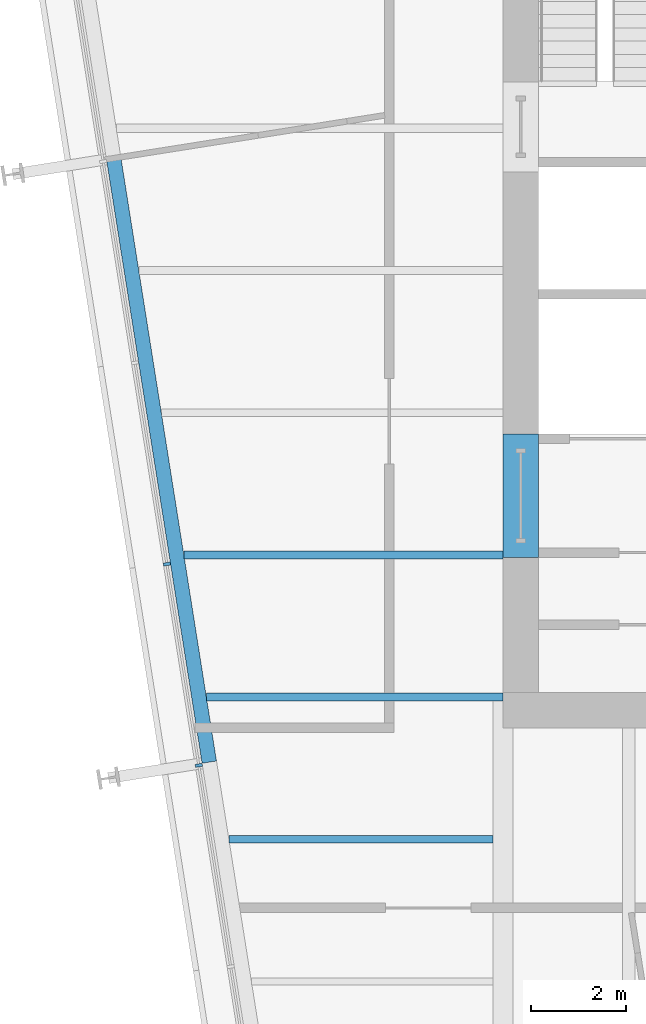
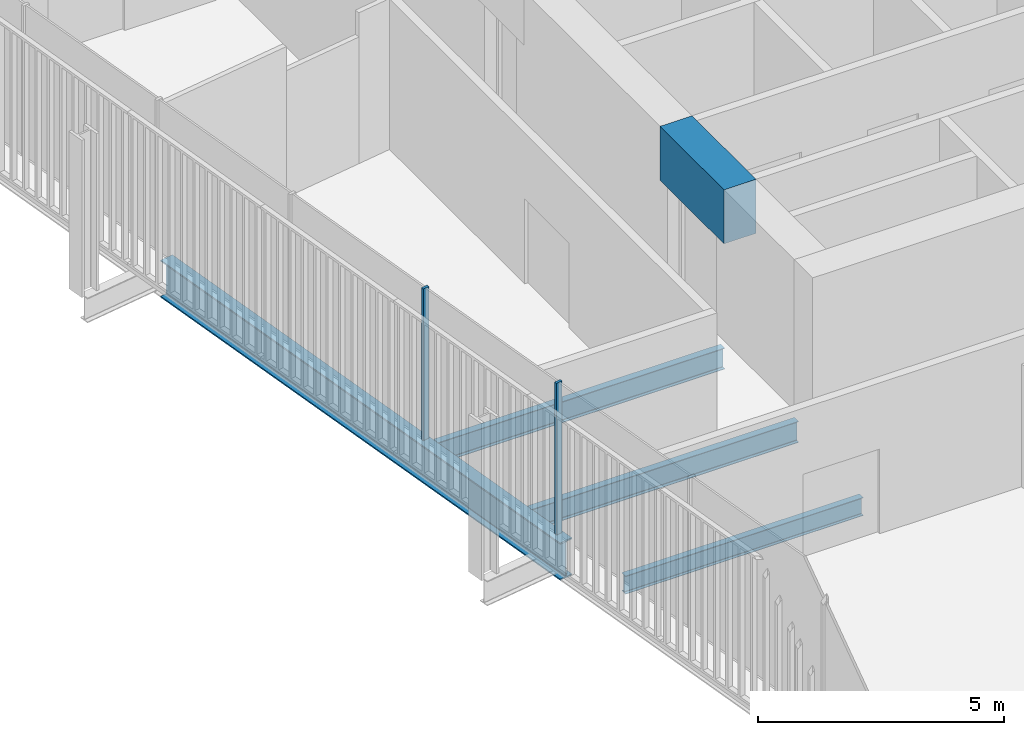
# One storey, part 4 of 21: 5 beams, 2 members, 1 element without a shape of its own.
"""IFC4 building model written with IfcOpenShell, lengths in metres."""

from ifc_helpers import new_model, si_unit, direction, frame, origin, origin_2d, place, context, subcontext, project, spatial, rectangle, i_section, extrude, material, layer, layer_set, material_profile, profile_set, type_object, element, aggregate, save


model = new_model("IFC4")

# Units and contexts
model_context = context("Model", 3, precision=1e-05, world=origin(), true_north=direction((0.0, 1.0)))
body_context = subcontext(model_context, "Body", "Model", "MODEL_VIEW")
ifc_project = project(units=[si_unit("LENGTHUNIT", "METRE"), si_unit("AREAUNIT", "SQUARE_METRE"), si_unit("VOLUMEUNIT", "CUBIC_METRE"), si_unit("PLANEANGLEUNIT", "RADIAN"), si_unit("MASSUNIT", "GRAM", prefix="KILO")], contexts=[model_context])

# Site, building, storey
site_placement = place(None, origin())
site = spatial("IfcSite", under=ifc_project, at=site_placement, CompositionType="ELEMENT")
building_placement = place(site_placement, origin())
building = spatial("IfcBuilding", under=site, at=building_placement, Name="Millrace Tower", CompositionType="ELEMENT")
storey_placement = place(building_placement, frame((0.0, 0.0, 149.0)))
storey = spatial("IfcBuildingStorey", under=building, at=storey_placement, Name="L33", CompositionType="ELEMENT", Elevation=149.0)

# Curtain wall, members
ifc_material_1 = material(Name="Aluminium and glass", Category="aluminium")
ifc_layer = layer(ifc_material_1, 0.14990234375)
ifc_layer_set = layer_set([ifc_layer], Name="Aluminium and glass")
curtain_wall_type = type_object("IfcCurtainWallType", Name="CW-1 office vision curtain wall", PredefinedType="NOTDEFINED", material=ifc_layer_set)
curtain_wall_placement = place(storey_placement, origin())
curtain_wall = element("IfcCurtainWall", 1, at=curtain_wall_placement, inside=storey, type_object=curtain_wall_type, Name="Curtain wall C-F08 L33", PredefinedType="NOTDEFINED")
ifc_material_2 = material(Name="Aluminium", Category="aluminium")
ifc_material_profile_1 = material_profile(ifc_material_2, rectangle(XDim=0.06494140625, YDim=0.14990234375, at=origin_2d()))
ifc_profile_set_1 = profile_set([ifc_material_profile_1], Name="Aluminium")
member_type = type_object("IfcMemberType", Name="CW-1 office vision curtain wall mullion", PredefinedType="MULLION", material=ifc_profile_set_1)
member_1_placement = place(storey_placement, frame((-21.743408203125, -6.193603515625, 0.139892578125), z_axis=(0.0, 0.0, 1.0), x_axis=(0.15643447328, -0.98768833929, 0.0)))
member_1 = element("IfcMember", 2, at=member_1_placement, type_object=member_type, Name="CW1 mullion C-F08.6", PredefinedType="MULLION", context=body_context, shape_type="SweptSolid", body=[
    extrude(rectangle(XDim=0.06494140625, YDim=0.14990234375, at=origin_2d()), origin(), (0.0, 0.0, 1.0), 3.760009765625),
])
member_2_placement = place(storey_placement, frame((-21.070556640625, -10.440673828125, 0.139892578125), z_axis=(0.0, 0.0, 1.0), x_axis=(0.15643447328, -0.98768833929, 0.0)))
member_2 = element("IfcMember", 3, at=member_2_placement, type_object=member_type, Name="CW1 mullion C-F08.7", PredefinedType="MULLION", context=body_context, shape_type="SweptSolid", body=[
    extrude(rectangle(XDim=0.06494140625, YDim=0.14990234375, at=origin_2d()), origin(), (0.0, 0.0, 1.0), 3.760009765625),
])
aggregate(curtain_wall, [member_1, member_2])

# Beams
ifc_material_3 = material(Name="Concrete C70", Category="concrete")
ifc_material_profile_2 = material_profile(ifc_material_3, rectangle(XDim=0.75, YDim=1.340087890625, at=origin_2d()))
ifc_profile_set_2 = profile_set([ifc_material_profile_2], Name="Concrete C70")
beam_type_1 = type_object("IfcBeamType", Name="Coupling beam 750 x 1340 Concrete C70, 2000 opening", PredefinedType="BEAM", material=ifc_profile_set_2)
beam_1_placement = place(storey_placement, frame((-14.27490234375, -6.050048828125, 3.070068359375), z_axis=(0.0, 1.0, 0.0), x_axis=(-1.0, 0.0, 0.0)))
element("IfcBeam", 4, at=beam_1_placement, inside=storey, type_object=beam_type_1, Name="Coupling beam W L33", PredefinedType="BEAM", context=body_context, shape_type="SweptSolid", body=[
    extrude(rectangle(XDim=0.75, YDim=1.340087890625, at=origin_2d()), origin(), (0.0, 0.0, 1.0), 2.60009765625),
])
ifc_material_4 = material(Name="Steel ASTM A992 Grade 50", Category="steel")
ifc_material_profile_3 = material_profile(ifc_material_4, i_section(OverallWidth=0.15234375, OverallDepth=0.449462890625, WebThickness=0.007568359375, FlangeThickness=0.0107421875, FilletRadius=0.01025390625, at=origin_2d()))
ifc_profile_set_3 = profile_set([ifc_material_profile_3], Name="Steel ASTM A992 Grade 50")
beam_type_2 = type_object("IfcBeamType", Name="Floor beam W18x35", PredefinedType="JOIST", material=ifc_profile_set_3)
beam_2_placement = place(storey_placement, frame((-20.4365234375, -12.0, -0.384765625), z_axis=(1.0, 0.0, 0.0), x_axis=(0.0, 1.0, 0.0)))
element("IfcBeam", 5, at=beam_2_placement, inside=storey, type_object=beam_type_2, Name="BM-C-L33-S1-S008", PredefinedType="JOIST", context=body_context, shape_type="SweptSolid", body=[
    extrude(i_section(OverallWidth=0.15234375, OverallDepth=0.449462890625, WebThickness=0.007568359375, FlangeThickness=0.0107421875, FilletRadius=0.01025390625, at=origin_2d()), origin(), (0.0, 0.0, 1.0), 5.576904296875),
])
ifc_material_5 = material(Name="Steel ASTM A992 Grade 50", Category="steel")
ifc_material_profile_4 = material_profile(ifc_material_5, i_section(OverallWidth=0.1650390625, OverallDepth=0.52587890625, WebThickness=0.0087890625, FlangeThickness=0.011474609375, FilletRadius=0.0126953125, at=origin_2d()))
ifc_profile_set_4 = profile_set([ifc_material_profile_4], Name="Steel ASTM A992 Grade 50")
beam_type_3 = type_object("IfcBeamType", Name="Floor beam W21x44", PredefinedType="JOIST", material=ifc_profile_set_4)
beam_3_placement = place(storey_placement, frame((-20.91162109375, -9.0, -0.4228515625), z_axis=(1.0, 0.0, 0.0), x_axis=(0.0, 1.0, 0.0)))
element("IfcBeam", 6, at=beam_3_placement, inside=storey, type_object=beam_type_3, Name="BM-C-L33-S1-S011", PredefinedType="JOIST", context=body_context, shape_type="SweptSolid", body=[
    extrude(i_section(OverallWidth=0.1650390625, OverallDepth=0.52587890625, WebThickness=0.0087890625, FlangeThickness=0.011474609375, FilletRadius=0.0126953125, at=origin_2d()), origin(), (0.0, 0.0, 1.0), 6.26171875),
])
beam_4_placement = place(storey_placement, frame((-21.386962890625, -6.0, -0.4228515625), z_axis=(1.0, 0.0, 0.0), x_axis=(0.0, 1.0, 0.0)))
element("IfcBeam", 7, at=beam_4_placement, inside=storey, type_object=beam_type_3, Name="BM-C-L33-S1-S014", PredefinedType="JOIST", context=body_context, shape_type="SweptSolid", body=[
    extrude(i_section(OverallWidth=0.1650390625, OverallDepth=0.52587890625, WebThickness=0.0087890625, FlangeThickness=0.011474609375, FilletRadius=0.0126953125, at=origin_2d()), origin(), (0.0, 0.0, 1.0), 6.737060546875),
])
ifc_material_6 = material(Name="Steel ASTM A992 Grade 50", Category="steel")
ifc_material_profile_5 = material_profile(ifc_material_6, i_section(OverallWidth=0.307373046875, OverallDepth=0.927001953125, WebThickness=0.01953125, FlangeThickness=0.031982421875, FilletRadius=0.01904296875, at=origin_2d()))
ifc_profile_set_5 = profile_set([ifc_material_profile_5], Name="Steel ASTM A992 Grade 50")
beam_type_4 = type_object("IfcBeamType", Name="Ring beam medium span W36x194", PredefinedType="SPANDREL", material=ifc_profile_set_5)
beam_5_placement = place(storey_placement, frame((-20.849853515625, -10.372802734375, -0.62353515625), z_axis=(-0.156438763615, 0.987687659758, 0.0), x_axis=(-0.987687659758, -0.156438763615, 0.0)))
element("IfcBeam", 8, at=beam_5_placement, inside=storey, type_object=beam_type_4, Name="RNG-C-L33-S1-02", PredefinedType="SPANDREL", context=body_context, shape_type="SweptSolid", body=[
    extrude(i_section(OverallWidth=0.307373046875, OverallDepth=0.927001953125, WebThickness=0.01953125, FlangeThickness=0.031982421875, FilletRadius=0.01904296875, at=origin_2d()), origin(), (0.0, 0.0, 1.0), 12.900146484375),
])

save(model, "model.ifc")
